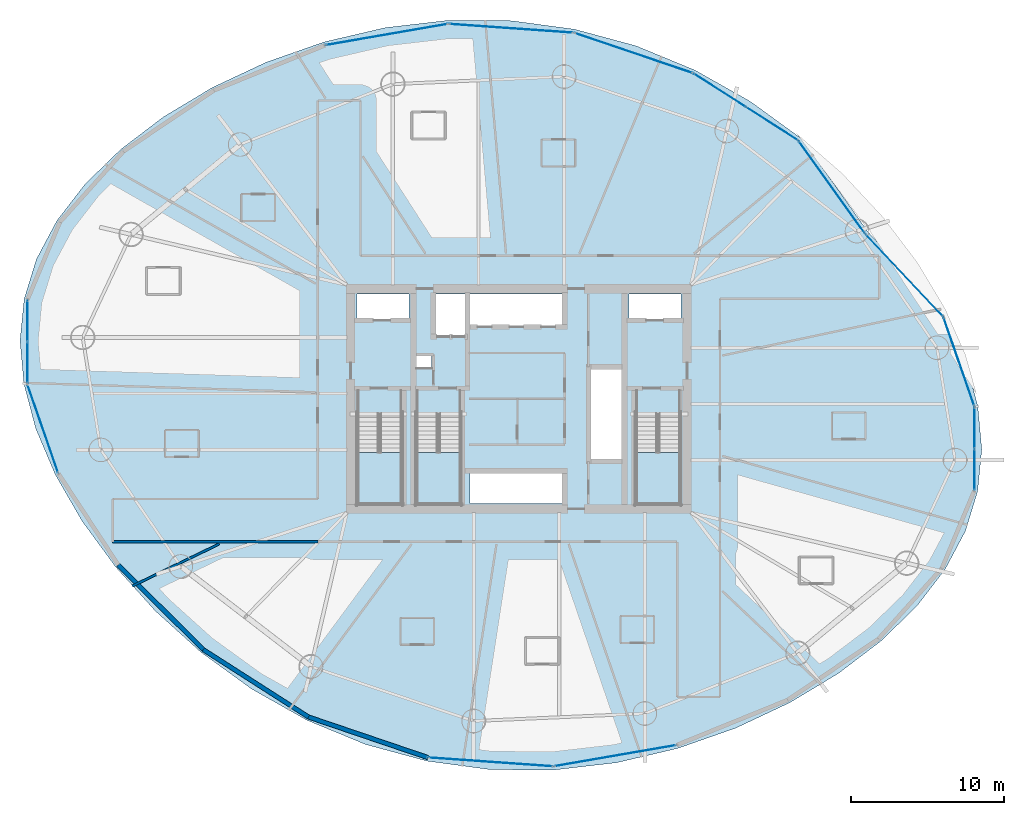
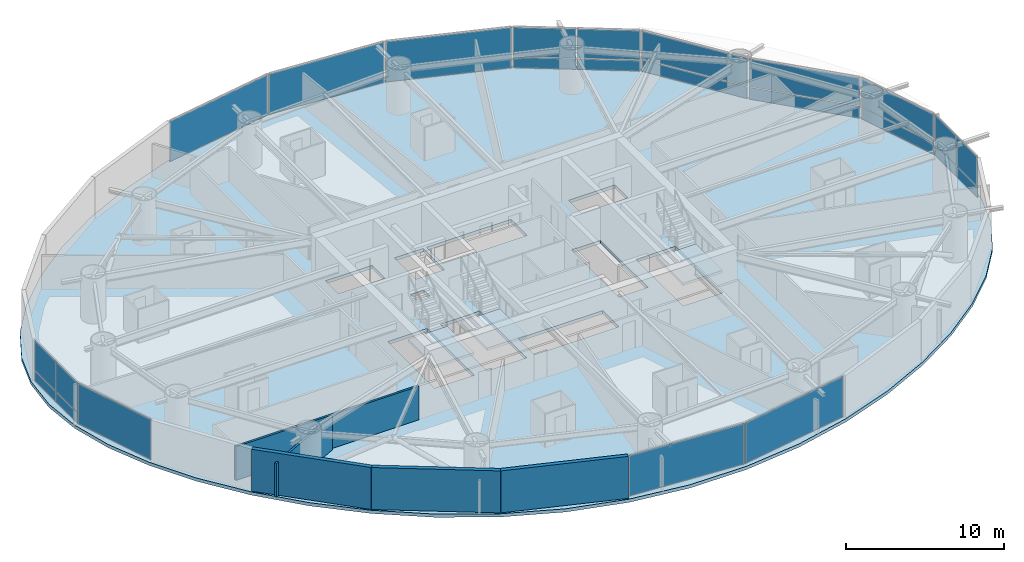
# One storey, part 19 of 27: 24 plates, 5 walls, 4 slabs, 15 elements without a shape of their own.
"""IFC4 building model written with IfcOpenShell, lengths in metres."""

from ifc_helpers import new_model, si_unit, direction, frame, frame_2d, origin, origin_2d, place, context, subcontext, project, spatial, polyline, rectangle, outline, extrude, material, layer, layer_set, type_object, element, aggregate, save


model = new_model("IFC4")

# Units and contexts
model_context = context("Model", 3, precision=1e-05, world=origin(), true_north=direction((0.0, 1.0)))
body_context = subcontext(model_context, "Body", "Model", "MODEL_VIEW")
ifc_project = project(units=[si_unit("LENGTHUNIT", "METRE"), si_unit("AREAUNIT", "SQUARE_METRE"), si_unit("VOLUMEUNIT", "CUBIC_METRE"), si_unit("PLANEANGLEUNIT", "RADIAN"), si_unit("MASSUNIT", "GRAM", prefix="KILO")], contexts=[model_context])

# Site, building, storey
site_placement = place(None, origin())
site = spatial("IfcSite", under=ifc_project, at=site_placement, CompositionType="ELEMENT")
building_placement = place(site_placement, origin())
building = spatial("IfcBuilding", under=site, at=building_placement, Name="Bramvorn Convention Spire", CompositionType="ELEMENT")
storey_placement = place(building_placement, frame((0.0, 0.0, 79.89990234375)))
storey = spatial("IfcBuildingStorey", under=building, at=storey_placement, Name="L18", CompositionType="ELEMENT", Elevation=79.89990234375)

# Curtain wall, plates
ifc_material_1 = material(Name="Anodised Bronze Unitised Curtain Wall", Category="aluminium")
ifc_layer_1 = layer(ifc_material_1, 0.179931640625)
ifc_layer_set_1 = layer_set([ifc_layer_1], Name="Anodised Bronze Unitised Curtain Wall - CW-HTL-FRIT")
curtain_wall_type_1 = type_object("IfcCurtainWallType", Name="CW-HTL-FRIT", PredefinedType="USERDEFINED", material=ifc_layer_set_1)
curtain_wall_1_placement = place(storey_placement, origin())
curtain_wall_1 = element("IfcCurtainWall", 1, at=curtain_wall_1_placement, inside=storey, type_object=curtain_wall_type_1, Name="L18 fritted glass curtain wall 01", ObjectType="UNITISED CURTAIN WALL", PredefinedType="USERDEFINED")
ifc_material_2 = material(Name="Laminated Low-E Glass (Triple IGU Bronze Ceramic Frit 35%)", Category="glass")
ifc_layer_2 = layer(ifc_material_2, 0.035888671875)
ifc_layer_set_2 = layer_set([ifc_layer_2], Name="Laminated Low-E Glass (Triple IGU Bronze Ceramic Frit 35%) - PNL-IGU-1")
plate_type_1 = type_object("IfcPlateType", Name="PNL-IGU-1", PredefinedType="CURTAIN_PANEL", material=ifc_layer_set_2)
plate_1_placement = place(storey_placement, frame((67.78857421875, 24.103271484375, 0.06005859375), z_axis=(0.0, 0.0, 1.0), x_axis=(-0.001964561274, -0.999998070248, 0.0)))
plate_1 = element("IfcPlate", 2, at=plate_1_placement, type_object=plate_type_1, Name="CW2 panel 1.1", PredefinedType="CURTAIN_PANEL", context=body_context, shape_type="SweptSolid", body=[
    extrude(rectangle(XDim=2.65869140625, YDim=0.028076171875, at=origin_2d()), origin(), (0.0, 0.0, 1.0), 0.81005859375),
])
plate_2_placement = place(storey_placement, frame((67.78857421875, 24.103271484375, 0.93017578125), z_axis=(0.0, 0.0, 1.0), x_axis=(-0.001964561274, -0.999998070248, 0.0)))
plate_2 = element("IfcPlate", 3, at=plate_2_placement, type_object=plate_type_1, Name="CW2 panel 1.2", PredefinedType="CURTAIN_PANEL", context=body_context, shape_type="SweptSolid", body=[
    extrude(rectangle(XDim=2.65869140625, YDim=0.028076171875, at=origin_2d()), origin(), (0.0, 0.0, 1.0), 2.260009765625),
])
plate_3_placement = place(storey_placement, frame((67.783447265625, 21.384521484375, 0.06005859375), z_axis=(0.0, 0.0, 1.0), x_axis=(-0.001964561274, -0.999998070248, 0.0)))
plate_3 = element("IfcPlate", 4, at=plate_3_placement, type_object=plate_type_1, Name="CW2 panel 2.1", PredefinedType="CURTAIN_PANEL", context=body_context, shape_type="SweptSolid", body=[
    extrude(rectangle(XDim=2.65869140625, YDim=0.028076171875, at=origin_2d()), origin(), (0.0, 0.0, 1.0), 0.81005859375),
])
plate_4_placement = place(storey_placement, frame((67.783447265625, 21.384521484375, 0.93017578125), z_axis=(0.0, 0.0, 1.0), x_axis=(-0.001964561274, -0.999998070248, 0.0)))
plate_4 = element("IfcPlate", 5, at=plate_4_placement, type_object=plate_type_1, Name="CW2 panel 2.2", PredefinedType="CURTAIN_PANEL", context=body_context, shape_type="SweptSolid", body=[
    extrude(rectangle(XDim=2.65869140625, YDim=0.028076171875, at=origin_2d()), origin(), (0.0, 0.0, 1.0), 2.260009765625),
])
aggregate(curtain_wall_1, [plate_1, plate_2, plate_3, plate_4])

curtain_wall_2_placement = place(storey_placement, origin())
curtain_wall_2 = element("IfcCurtainWall", 6, at=curtain_wall_2_placement, inside=storey, type_object=curtain_wall_type_1, Name="L18 fritted glass curtain wall 05", ObjectType="UNITISED CURTAIN WALL", PredefinedType="USERDEFINED")
plate_5_placement = place(storey_placement, frame((51.1376953125, 46.17138671875, 0.06005859375), z_axis=(0.0, 0.0, 1.0), x_axis=(0.842208047967, -0.539152672199, 0.0)))
plate_5 = element("IfcPlate", 7, at=plate_5_placement, type_object=plate_type_1, Name="CW2 panel 1.1", PredefinedType="CURTAIN_PANEL", context=body_context, shape_type="SweptSolid", body=[
    extrude(rectangle(XDim=3.995361328125, YDim=0.028076171875, at=origin_2d()), origin(), (0.0, 0.0, 1.0), 0.81005859375),
])
plate_6_placement = place(storey_placement, frame((51.1376953125, 46.17138671875, 0.93017578125), z_axis=(0.0, 0.0, 1.0), x_axis=(0.842208047967, -0.539152672199, 0.0)))
plate_6 = element("IfcPlate", 8, at=plate_6_placement, type_object=plate_type_1, Name="CW2 panel 1.2", PredefinedType="CURTAIN_PANEL", context=body_context, shape_type="SweptSolid", body=[
    extrude(rectangle(XDim=3.995361328125, YDim=0.028076171875, at=origin_2d()), origin(), (0.0, 0.0, 1.0), 2.260009765625),
])
plate_7_placement = place(storey_placement, frame((54.55322265625, 43.98486328125, 0.06005859375), z_axis=(0.0, 0.0, 1.0), x_axis=(0.842208047967, -0.539152672199, 0.0)))
plate_7 = element("IfcPlate", 9, at=plate_7_placement, type_object=plate_type_1, Name="CW2 panel 2.1", PredefinedType="CURTAIN_PANEL", context=body_context, shape_type="SweptSolid", body=[
    extrude(rectangle(XDim=3.995361328125, YDim=0.028076171875, at=origin_2d()), origin(), (0.0, 0.0, 1.0), 0.81005859375),
])
plate_8_placement = place(storey_placement, frame((54.55322265625, 43.98486328125, 0.93017578125), z_axis=(0.0, 0.0, 1.0), x_axis=(0.842208047967, -0.539152672199, 0.0)))
plate_8 = element("IfcPlate", 10, at=plate_8_placement, type_object=plate_type_1, Name="CW2 panel 2.2", PredefinedType="CURTAIN_PANEL", context=body_context, shape_type="SweptSolid", body=[
    extrude(rectangle(XDim=3.995361328125, YDim=0.028076171875, at=origin_2d()), origin(), (0.0, 0.0, 1.0), 2.260009765625),
])
aggregate(curtain_wall_2, [plate_5, plate_6, plate_7, plate_8])

# Curtain wall, plate
curtain_wall_3_placement = place(storey_placement, origin())
curtain_wall_3 = element("IfcCurtainWall", 11, at=curtain_wall_3_placement, inside=storey, type_object=curtain_wall_type_1, Name="L18 fritted glass curtain wall 06", ObjectType="UNITISED CURTAIN WALL", PredefinedType="USERDEFINED")
plate_9_placement = place(storey_placement, frame((45.5029296875, 48.605712890625, 0.06005859375), z_axis=(0.0, 0.0, 1.0), x_axis=(0.946893160432, -0.321548352083, 0.0)))
plate_9 = element("IfcPlate", 12, at=plate_9_placement, type_object=plate_type_1, Name="CW2 panel 1.1", PredefinedType="CURTAIN_PANEL", context=body_context, shape_type="SweptSolid", body=[
    extrude(rectangle(XDim=8.121337890625, YDim=0.028076171875, at=origin_2d()), origin(), (0.0, 0.0, 1.0), 3.1298828125),
])
aggregate(curtain_wall_3, [plate_9])

curtain_wall_4_placement = place(storey_placement, origin())
curtain_wall_4 = element("IfcCurtainWall", 13, at=curtain_wall_4_placement, inside=storey, type_object=curtain_wall_type_1, Name="L18 fritted glass curtain wall 07", ObjectType="UNITISED CURTAIN WALL", PredefinedType="USERDEFINED")
plate_10_placement = place(storey_placement, frame((37.49072265625, 50.22119140625, 0.06005859375), z_axis=(0.0, 0.0, 1.0), x_axis=(0.997511029139, -0.070510614418, 0.0)))
plate_10 = element("IfcPlate", 14, at=plate_10_placement, type_object=plate_type_1, Name="CW2 panel 1.1", PredefinedType="CURTAIN_PANEL", context=body_context, shape_type="SweptSolid", body=[
    extrude(rectangle(XDim=8.121337890625, YDim=0.028076171875, at=origin_2d()), origin(), (0.0, 0.0, 1.0), 3.1298828125),
])
aggregate(curtain_wall_4, [plate_10])

curtain_wall_5_placement = place(storey_placement, origin())
curtain_wall_5 = element("IfcCurtainWall", 15, at=curtain_wall_5_placement, inside=storey, type_object=curtain_wall_type_1, Name="L18 fritted glass curtain wall 08", ObjectType="UNITISED CURTAIN WALL", PredefinedType="USERDEFINED")
plate_11_placement = place(storey_placement, frame((29.354736328125, 49.814697265625, 0.06005859375), z_axis=(0.0, 0.0, 1.0), x_axis=(0.985330446811, 0.170657289875, 0.0)))
plate_11 = element("IfcPlate", 16, at=plate_11_placement, type_object=plate_type_1, Name="CW2 panel 1.1", PredefinedType="CURTAIN_PANEL", context=body_context, shape_type="SweptSolid", body=[
    extrude(rectangle(XDim=8.05078125, YDim=0.028076171875, at=origin_2d()), origin(), (0.0, 0.0, 1.0), 3.1298828125),
])
aggregate(curtain_wall_5, [plate_11])

# Curtain wall, plates
curtain_wall_6_placement = place(storey_placement, origin())
curtain_wall_6 = element("IfcCurtainWall", 17, at=curtain_wall_6_placement, inside=storey, type_object=curtain_wall_type_1, Name="L18 fritted glass curtain wall 13", ObjectType="UNITISED CURTAIN WALL", PredefinedType="USERDEFINED")
plate_12_placement = place(storey_placement, frame((5.858642578125, 28.37109375, 0.06005859375), z_axis=(0.0, 0.0, 1.0), x_axis=(0.001946370964, 0.999998105818, 0.0)))
plate_12 = element("IfcPlate", 18, at=plate_12_placement, type_object=plate_type_1, Name="CW2 panel 1.1", PredefinedType="CURTAIN_PANEL", context=body_context, shape_type="SweptSolid", body=[
    extrude(rectangle(XDim=2.65869140625, YDim=0.028076171875, at=origin_2d()), origin(), (0.0, 0.0, 1.0), 0.81005859375),
])
plate_13_placement = place(storey_placement, frame((5.858642578125, 28.37109375, 0.93017578125), z_axis=(0.0, 0.0, 1.0), x_axis=(0.001946370964, 0.999998105818, 0.0)))
plate_13 = element("IfcPlate", 19, at=plate_13_placement, type_object=plate_type_1, Name="CW2 panel 1.2", PredefinedType="CURTAIN_PANEL", context=body_context, shape_type="SweptSolid", body=[
    extrude(rectangle(XDim=2.65869140625, YDim=0.028076171875, at=origin_2d()), origin(), (0.0, 0.0, 1.0), 2.260009765625),
])
plate_14_placement = place(storey_placement, frame((5.864013671875, 31.08984375, 0.06005859375), z_axis=(0.0, 0.0, 1.0), x_axis=(0.001946370964, 0.999998105818, 0.0)))
plate_14 = element("IfcPlate", 20, at=plate_14_placement, type_object=plate_type_1, Name="CW2 panel 2.1", PredefinedType="CURTAIN_PANEL", context=body_context, shape_type="SweptSolid", body=[
    extrude(rectangle(XDim=2.65869140625, YDim=0.028076171875, at=origin_2d()), origin(), (0.0, 0.0, 1.0), 0.81005859375),
])
plate_15_placement = place(storey_placement, frame((5.864013671875, 31.08984375, 0.93017578125), z_axis=(0.0, 0.0, 1.0), x_axis=(0.001946370964, 0.999998105818, 0.0)))
plate_15 = element("IfcPlate", 21, at=plate_15_placement, type_object=plate_type_1, Name="CW2 panel 2.2", PredefinedType="CURTAIN_PANEL", context=body_context, shape_type="SweptSolid", body=[
    extrude(rectangle(XDim=2.65869140625, YDim=0.028076171875, at=origin_2d()), origin(), (0.0, 0.0, 1.0), 2.260009765625),
])
aggregate(curtain_wall_6, [plate_12, plate_13, plate_14, plate_15])

# Curtain wall, plate
curtain_wall_7_placement = place(storey_placement, origin())
curtain_wall_7 = element("IfcCurtainWall", 22, at=curtain_wall_7_placement, inside=storey, type_object=curtain_wall_type_1, Name="L18 fritted glass curtain wall 14", ObjectType="UNITISED CURTAIN WALL", PredefinedType="USERDEFINED")
plate_16_placement = place(storey_placement, frame((6.873291015625, 24.047119140625, 0.06005859375), z_axis=(0.0, 0.0, 1.0), x_axis=(-0.327558927504, 0.944830751517, 0.0)))
plate_16 = element("IfcPlate", 23, at=plate_16_placement, type_object=plate_type_1, Name="CW2 panel 1.1", PredefinedType="CURTAIN_PANEL", context=body_context, shape_type="SweptSolid", body=[
    extrude(rectangle(XDim=6.092041015625, YDim=0.028076171875, at=origin_2d()), origin(), (0.0, 0.0, 1.0), 3.1298828125),
])
aggregate(curtain_wall_7, [plate_16])

curtain_wall_8_placement = place(storey_placement, origin())
curtain_wall_8 = element("IfcCurtainWall", 24, at=curtain_wall_8_placement, inside=storey, type_object=curtain_wall_type_1, Name="L18 fritted glass curtain wall 19", ObjectType="UNITISED CURTAIN WALL", PredefinedType="USERDEFINED")
plate_17_placement = place(storey_placement, frame((36.15673828125, 2.253173828125, 0.06005859375), z_axis=(0.0, 0.0, 1.0), x_axis=(-0.997511942817, 0.070497687458, 0.0)))
plate_17 = element("IfcPlate", 25, at=plate_17_placement, type_object=plate_type_1, Name="CW2 panel 1.1", PredefinedType="CURTAIN_PANEL", context=body_context, shape_type="SweptSolid", body=[
    extrude(rectangle(XDim=8.121337890625, YDim=0.028076171875, at=origin_2d()), origin(), (0.0, 0.0, 1.0), 3.1298828125),
])
aggregate(curtain_wall_8, [plate_17])

curtain_wall_9_placement = place(storey_placement, origin())
curtain_wall_9 = element("IfcCurtainWall", 26, at=curtain_wall_9_placement, inside=storey, type_object=curtain_wall_type_1, Name="L18 fritted glass curtain wall 20", ObjectType="UNITISED CURTAIN WALL", PredefinedType="USERDEFINED")
plate_18_placement = place(storey_placement, frame((44.29248046875, 2.65966796875, 0.06005859375), z_axis=(0.0, 0.0, 1.0), x_axis=(-0.985332504738, -0.170645407519, 0.0)))
plate_18 = element("IfcPlate", 27, at=plate_18_placement, type_object=plate_type_1, Name="CW2 panel 1.1", PredefinedType="CURTAIN_PANEL", context=body_context, shape_type="SweptSolid", body=[
    extrude(rectangle(XDim=8.05078125, YDim=0.028076171875, at=origin_2d()), origin(), (0.0, 0.0, 1.0), 3.1298828125),
])
aggregate(curtain_wall_9, [plate_18])

# Curtain wall, plates
ifc_layer_3 = layer(ifc_material_1, 0.219970703125)
ifc_layer_set_3 = layer_set([ifc_layer_3], Name="Anodised Bronze Unitised Curtain Wall - CW-SKYGARDEN")
curtain_wall_type_2 = type_object("IfcCurtainWallType", Name="CW-SKYGARDEN", PredefinedType="USERDEFINED", material=ifc_layer_set_3)
curtain_wall_10_placement = place(storey_placement, origin())
curtain_wall_10 = element("IfcCurtainWall", 28, at=curtain_wall_10_placement, inside=storey, type_object=curtain_wall_type_2, Name="L18 Sky Garden glazed facade 02", ObjectType="WINTER GARDEN GLAZING", PredefinedType="USERDEFINED")
ifc_material_3 = material(Name="Laminated Low-E Glass (Acoustic Laminated Podium Triple IGU)", Category="glass")
ifc_layer_4 = layer(ifc_material_3, 0.0458984375)
ifc_layer_set_4 = layer_set([ifc_layer_4], Name="Laminated Low-E Glass (Acoustic Laminated Podium Triple IGU) - PNL-IGU-5")
plate_type_2 = type_object("IfcPlateType", Name="PNL-IGU-5", PredefinedType="CURTAIN_PANEL", material=ifc_layer_set_4)
plate_19_placement = place(storey_placement, frame((66.77392578125, 28.42724609375, 0.06005859375), z_axis=(0.0, 0.0, 1.0), x_axis=(0.327573298015, -0.94482576935, 0.0)))
plate_19 = element("IfcPlate", 29, at=plate_19_placement, type_object=plate_type_2, Name="CW4 panel 1.1", PredefinedType="CURTAIN_PANEL", context=body_context, shape_type="SweptSolid", body=[
    extrude(rectangle(XDim=6.092041015625, YDim=0.028076171875, at=origin_2d()), origin(), (0.0, 0.0, 1.0), 0.909912109375),
])
plate_20_placement = place(storey_placement, frame((66.77392578125, 28.42724609375, 1.0302734375), z_axis=(0.0, 0.0, 1.0), x_axis=(0.327573298015, -0.94482576935, 0.0)))
plate_20 = element("IfcPlate", 30, at=plate_20_placement, type_object=plate_type_2, Name="CW4 panel 1.2", PredefinedType="CURTAIN_PANEL", context=body_context, shape_type="SweptSolid", body=[
    extrude(rectangle(XDim=6.092041015625, YDim=0.028076171875, at=origin_2d()), origin(), (0.0, 0.0, 1.0), 2.159912109375),
])
aggregate(curtain_wall_10, [plate_19, plate_20])

curtain_wall_11_placement = place(storey_placement, origin())
curtain_wall_11 = element("IfcCurtainWall", 31, at=curtain_wall_11_placement, inside=storey, type_object=curtain_wall_type_2, Name="L18 Sky Garden glazed facade 03", ObjectType="WINTER GARDEN GLAZING", PredefinedType="USERDEFINED")
plate_21_placement = place(storey_placement, frame((63.1962890625, 34.081787109375, 0.06005859375), z_axis=(0.0, 0.0, 1.0), x_axis=(0.68542691041, -0.728141435771, 0.0)))
plate_21 = element("IfcPlate", 32, at=plate_21_placement, type_object=plate_type_2, Name="CW4 panel 1.1", PredefinedType="CURTAIN_PANEL", context=body_context, shape_type="SweptSolid", body=[
    extrude(rectangle(XDim=7.3505859375, YDim=0.028076171875, at=origin_2d()), origin(), (0.0, 0.0, 1.0), 0.909912109375),
])
plate_22_placement = place(storey_placement, frame((63.1962890625, 34.081787109375, 1.0302734375), z_axis=(0.0, 0.0, 1.0), x_axis=(0.68542691041, -0.728141435771, 0.0)))
plate_22 = element("IfcPlate", 33, at=plate_22_placement, type_object=plate_type_2, Name="CW4 panel 1.2", PredefinedType="CURTAIN_PANEL", context=body_context, shape_type="SweptSolid", body=[
    extrude(rectangle(XDim=7.3505859375, YDim=0.028076171875, at=origin_2d()), origin(), (0.0, 0.0, 1.0), 2.159912109375),
])
aggregate(curtain_wall_11, [plate_21, plate_22])

curtain_wall_12_placement = place(storey_placement, origin())
curtain_wall_12 = element("IfcCurtainWall", 34, at=curtain_wall_12_placement, inside=storey, type_object=curtain_wall_type_2, Name="L18 Sky Garden glazed facade 04", ObjectType="WINTER GARDEN GLAZING", PredefinedType="USERDEFINED")
plate_23_placement = place(storey_placement, frame((58.461181640625, 39.83837890625, 0.06005859375), z_axis=(0.0, 0.0, 1.0), x_axis=(0.582230461162, -0.813023794298, 0.0)))
plate_23 = element("IfcPlate", 35, at=plate_23_placement, type_object=plate_type_2, Name="CW4 panel 1.1", PredefinedType="CURTAIN_PANEL", context=body_context, shape_type="SweptSolid", body=[
    extrude(rectangle(XDim=7.350830078125, YDim=0.028076171875, at=origin_2d()), origin(), (0.0, 0.0, 1.0), 0.909912109375),
])
plate_24_placement = place(storey_placement, frame((58.461181640625, 39.83837890625, 1.0302734375), z_axis=(0.0, 0.0, 1.0), x_axis=(0.582230461162, -0.813023794298, 0.0)))
plate_24 = element("IfcPlate", 36, at=plate_24_placement, type_object=plate_type_2, Name="CW4 panel 1.2", PredefinedType="CURTAIN_PANEL", context=body_context, shape_type="SweptSolid", body=[
    extrude(rectangle(XDim=7.350830078125, YDim=0.028076171875, at=origin_2d()), origin(), (0.0, 0.0, 1.0), 2.159912109375),
])
aggregate(curtain_wall_12, [plate_23, plate_24])

# Stair, slab
ifc_material_4 = material(Name="Concrete C40/50 Precast Stair", Category="concrete")
stair_type = type_object("IfcStairType", Name="ST-TOWER-1550", PredefinedType="HALF_TURN_STAIR", material=ifc_material_4)
stair_1_placement = place(storey_placement, origin())
stair_1 = element("IfcStair", 37, at=stair_1_placement, inside=storey, type_object=stair_type, Name="L18 Protected Exit Stair ST1", PredefinedType="HALF_TURN_STAIR")
ifc_material_5 = material(Name="Concrete C40/50 Stair Landing", Category="concrete")
ifc_layer_5 = layer(ifc_material_5, 0.219970703125)
ifc_layer_set_5 = layer_set([ifc_layer_5], Name="Concrete C40/50 Stair Landing - SLB-STAIR-LANDING")
slab_type_1 = type_object("IfcSlabType", Name="SLB-STAIR-LANDING", PredefinedType="LANDING", material=ifc_layer_set_5)
slab_1_placement = place(storey_placement, frame((0.0, 0.0, 1.550048828125)))
slab_1 = element("IfcSlab", 38, at=slab_1_placement, type_object=slab_type_1, Name="ST1 landing 1", PredefinedType="LANDING", context=body_context, shape_type="SweptSolid", body=[
    extrude(outline(polyline([(27.449951171875, 22.485107421875), (27.449951171875, 19.10009765625), (30.35009765625, 19.10009765625), (30.35009765625, 22.485107421875), (27.449951171875, 22.485107421875)])), origin(), (0.0, 0.0, 1.0), 0.199951171875),
])
aggregate(stair_1, [slab_1])

stair_2_placement = place(storey_placement, origin())
stair_2 = element("IfcStair", 39, at=stair_2_placement, inside=storey, type_object=stair_type, Name="L18 Protected Exit Stair ST2", PredefinedType="HALF_TURN_STAIR")
slab_2_placement = place(storey_placement, frame((0.0, 0.0, 1.550048828125)))
slab_2 = element("IfcSlab", 40, at=slab_2_placement, type_object=slab_type_1, Name="ST2 landing 1", PredefinedType="LANDING", context=body_context, shape_type="SweptSolid", body=[
    extrude(outline(polyline([(45.64990234375, 22.485107421875), (45.64990234375, 19.10009765625), (48.550048828125, 19.10009765625), (48.550048828125, 22.485107421875), (45.64990234375, 22.485107421875)])), origin(), (0.0, 0.0, 1.0), 0.199951171875),
])
aggregate(stair_2, [slab_2])

stair_3_placement = place(storey_placement, origin())
stair_3 = element("IfcStair", 41, at=stair_3_placement, inside=storey, type_object=stair_type, Name="L18 Protected Exit Stair ST3", PredefinedType="HALF_TURN_STAIR")
slab_3_placement = place(storey_placement, frame((0.0, 0.0, 1.550048828125)))
slab_3 = element("IfcSlab", 42, at=slab_3_placement, type_object=slab_type_1, Name="ST3 landing 1", PredefinedType="LANDING", context=body_context, shape_type="SweptSolid", body=[
    extrude(outline(polyline([(31.300048828125, 22.485107421875), (31.300048828125, 19.10009765625), (34.199951171875, 19.10009765625), (34.199951171875, 22.485107421875), (31.300048828125, 22.485107421875)])), origin(), (0.0, 0.0, 1.0), 0.199951171875),
])
aggregate(stair_3, [slab_3])

# Slab
ifc_material_6 = material(Name="Concrete C50/60", Category="concrete")
ifc_layer_6 = layer(ifc_material_6, 0.25)
ifc_layer_set_6 = layer_set([ifc_layer_6], Name="Concrete C50/60 - SLB-Z1-250")
slab_type_2 = type_object("IfcSlabType", Name="SLB-Z1-250", PredefinedType="FLOOR", material=ifc_layer_set_6)
slab_4_placement = place(storey_placement, frame((0.0, 0.0, -0.25)))
element("IfcSlab", 43, at=slab_4_placement, inside=storey, type_object=slab_type_2, Name="L18 tower floor slab", PredefinedType="FLOOR", context=body_context, shape_type="SweptSolid", body=[
    extrude(outline(polyline([(67.996337890625, 19.95166015625), (68.267578125, 22.673583984375), (68.01025390625, 25.50244140625), (67.236083984375, 28.4287109375), (65.964111328125, 31.427734375), (63.360107421875, 34.20068359375), (60.8203125, 36.921630859375), (58.71044921875, 39.908935546875), (56.433349609375, 43.0478515625), (53.11328125, 45.45751953125), (49.505615234375, 47.4921875), (45.66357421875, 49.07861328125), (41.648193359375, 50.16357421875), (37.52587890625, 50.719482421875), (33.369384765625, 50.745849609375), (29.2548828125, 50.26806640625), (25.2607421875, 49.33349609375), (21.46435546875, 48.00341796875), (17.93994140625, 46.346923828125), (14.755859375, 44.43115234375), (11.9716796875, 42.314697265625), (9.63671875, 40.042724609375), (7.789306640625, 37.645263671875), (6.455810546875, 35.13720703125), (5.651123046875, 32.522705078125), (5.379638671875, 29.80078125), (5.63720703125, 26.971923828125), (6.4111328125, 24.0458984375), (7.68310546875, 21.046630859375), (9.4296875, 18.0166015625), (11.62255859375, 15.016357421875), (14.229736328125, 12.12353515625), (17.214111328125, 9.426513671875), (20.533935546875, 7.01708984375), (24.141845703125, 4.982177734375), (27.98388671875, 3.395751953125), (31.999267578125, 2.310791015625), (36.121337890625, 1.7548828125), (40.278076171875, 1.728515625), (44.392333984375, 2.206298828125), (48.38671875, 3.14111328125), (52.18310546875, 4.470703125), (55.70751953125, 6.127197265625), (58.8916015625, 8.043212890625), (61.67578125, 10.159912109375), (64.0107421875, 12.431640625), (65.858154296875, 14.8291015625), (67.191650390625, 17.337158203125), (67.996337890625, 19.95166015625)]), holes=[polyline([(27.449951171875, 25.050048828125), (27.449951171875, 19.10009765625), (30.35009765625, 19.10009765625), (30.35009765625, 25.050048828125), (27.449951171875, 25.050048828125)]), polyline([(45.64990234375, 25.050048828125), (45.64990234375, 19.10009765625), (48.550048828125, 19.10009765625), (48.550048828125, 25.050048828125), (45.64990234375, 25.050048828125)]), polyline([(31.300048828125, 25.050048828125), (31.300048828125, 19.10009765625), (34.199951171875, 19.10009765625), (34.199951171875, 25.050048828125), (31.300048828125, 25.050048828125)]), polyline([(27.39990234375, 31.219970703125), (30.800048828125, 31.219970703125), (30.800048828125, 32.85009765625), (27.39990234375, 32.85009765625), (27.39990234375, 31.219970703125)]), polyline([(45.199951171875, 31.219970703125), (48.60009765625, 31.219970703125), (48.60009765625, 32.85009765625), (45.199951171875, 32.85009765625), (45.199951171875, 31.219970703125)]), polyline([(32.449951171875, 30.14990234375), (34.56005859375, 30.14990234375), (34.56005859375, 32.85009765625), (32.449951171875, 32.85009765625), (32.449951171875, 30.14990234375)]), polyline([(34.800048828125, 30.800048828125), (40.97998046875, 30.800048828125), (40.97998046875, 32.85009765625), (34.800048828125, 32.85009765625), (34.800048828125, 30.800048828125)]), polyline([(34.800048828125, 19.14990234375), (40.97998046875, 19.14990234375), (40.97998046875, 21.199951171875), (34.800048828125, 21.199951171875), (34.800048828125, 19.14990234375)]), polyline([(42.6201171875, 22.0), (44.75, 22.0), (44.75, 28.0), (42.6201171875, 28.0), (42.6201171875, 22.0)]), polyline([(31.320068359375, 28.02001953125), (32.280029296875, 28.02001953125), (32.280029296875, 28.820068359375), (31.320068359375, 28.820068359375), (31.320068359375, 28.02001953125)])]), origin(), (0.0, 0.0, 1.0), 0.25),
])

# Walls
ifc_material_7 = material(Name="Precast Concrete C40/50 with Bronze Terracotta Rainscreen", Category="masonry")
ifc_layer_7 = layer(ifc_material_7, 0.300048828125)
ifc_layer_set_7 = layer_set([ifc_layer_7], Name="Precast Concrete C40/50 with Bronze Terracotta Rainscreen - WL-EXT-BRONZE-300")
wall_type_1 = type_object("IfcWallType", Name="WL-EXT-BRONZE-300", PredefinedType="SOLIDWALL", material=ifc_layer_set_7)
wall_1_placement = place(storey_placement, frame((17.361083984375, 9.59912109375, 0.0), z_axis=(0.0, 0.0, 1.0), x_axis=(-0.708133036794, 0.706079033962, 0.0)))
element("IfcWall", 44, at=wall_1_placement, inside=storey, type_object=wall_type_1, Name="L18 expressed bronze Gothic lancet pier wall 16", PredefinedType="SOLIDWALL", context=body_context, shape_type="SweptSolid", body=[
    extrude(rectangle(XDim=7.8447265625, YDim=0.280029296875, at=frame_2d((3.92236328125, 0.0))), origin(), (0.0, 0.0, 1.0), 3.25),
])
wall_2_placement = place(storey_placement, frame((24.242431640625, 5.193603515625, 0.0), z_axis=(0.0, 0.0, 1.0), x_axis=(-0.842190536118, 0.539180026405, 0.0)))
element("IfcWall", 45, at=wall_2_placement, inside=storey, type_object=wall_type_1, Name="L18 expressed bronze Gothic lancet pier wall 17", PredefinedType="SOLIDWALL", context=body_context, shape_type="SweptSolid", body=[
    extrude(rectangle(XDim=8.170654296875, YDim=0.280029296875, at=frame_2d((4.08544921875, 0.0))), origin(), (0.0, 0.0, 1.0), 3.25),
])
wall_3_placement = place(storey_placement, frame((32.046142578125, 2.543701171875, 0.0), z_axis=(0.0, 0.0, 1.0), x_axis=(-0.946896905439, 0.321537323603, 0.0)))
element("IfcWall", 46, at=wall_3_placement, inside=storey, type_object=wall_type_1, Name="L18 expressed bronze Gothic lancet pier wall 18", PredefinedType="SOLIDWALL", context=body_context, shape_type="SweptSolid", body=[
    extrude(rectangle(XDim=8.241455078125, YDim=0.280029296875, at=frame_2d((4.12060546875, 0.0))), origin(), (0.0, 0.0, 1.0), 3.25),
])
ifc_material_8 = material(Name="Acoustic Metal-Stud Tenant/Corridor Partition", Category="gypsum")
ifc_layer_8 = layer(ifc_material_8, 0.14990234375)
ifc_layer_set_8 = layer_set([ifc_layer_8], Name="Acoustic Metal-Stud Tenant/Corridor Partition - WL-PART-150")
wall_type_2 = type_object("IfcWallType", Name="WL-PART-150", PredefinedType="PARTITIONING", material=ifc_layer_set_8)
wall_4_placement = place(storey_placement, frame((11.439208984375, 16.64990234375, 0.0), z_axis=(0.0, 0.0, 1.0), x_axis=(1.0, 0.0, 0.0)))
element("IfcWall", 47, at=wall_4_placement, inside=storey, type_object=wall_type_2, Name="L18 SW pinwheel wing south wall", PredefinedType="PARTITIONING", context=body_context, shape_type="SweptSolid", body=[
    extrude(rectangle(XDim=13.410888671875, YDim=0.14990234375, at=frame_2d((6.70556640625, 0.0))), origin(), (0.0, 0.0, 1.0), 2.60009765625),
])
wall_5_placement = place(storey_placement, frame((18.4091796875, 16.510009765625, 0.0), z_axis=(0.0, 0.0, 1.0), x_axis=(-0.899956937803, -0.435978795471, 0.0)))
element("IfcWall", 48, at=wall_5_placement, inside=storey, type_object=wall_type_2, Name="L18 Guestroom demising wall 8", PredefinedType="PARTITIONING", context=body_context, shape_type="SweptSolid", body=[
    extrude(rectangle(XDim=6.321533203125, YDim=0.14990234375, at=frame_2d((3.16064453125, 0.0))), origin(), (0.0, 0.0, 1.0), 2.60009765625),
])

save(model, "model.ifc")
